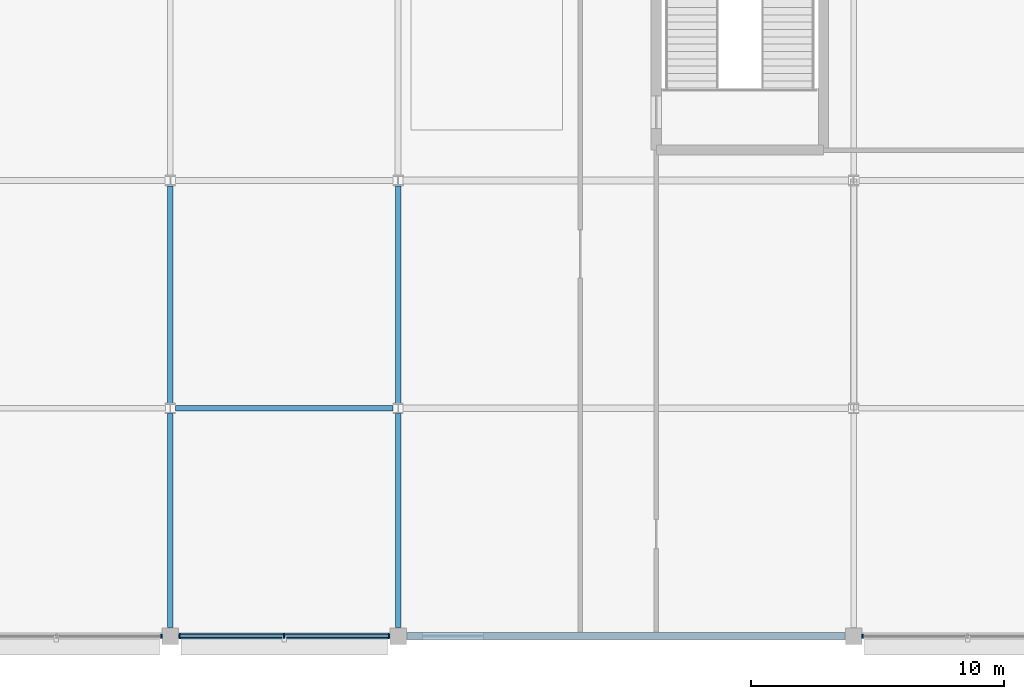
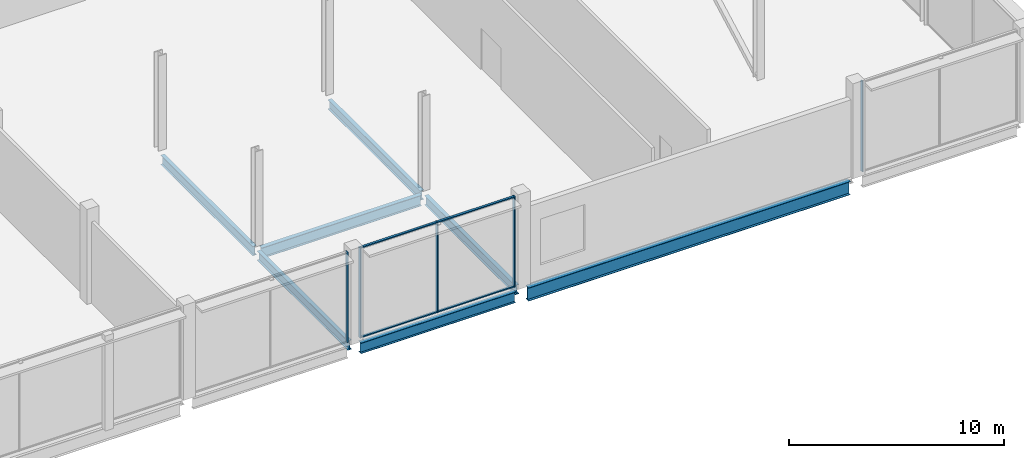
# One storey, part 48 of 113: 9 members, 7 beams, 3 elements without a shape of their own.
"""IFC4 building model written with IfcOpenShell, lengths in metres."""

from ifc_helpers import new_model, si_unit, direction, frame, origin, origin_2d, place, context, subcontext, project, spatial, rectangle, i_section, extrude, material, layer, layer_set, material_profile, profile_set, type_object, element, aggregate, save


model = new_model("IFC4")

# Units and contexts
model_context = context("Model", 3, precision=1e-05, world=origin(), true_north=direction((0.0, 1.0)))
body_context = subcontext(model_context, "Body", "Model", "MODEL_VIEW")
ifc_project = project(units=[si_unit("LENGTHUNIT", "METRE"), si_unit("AREAUNIT", "SQUARE_METRE"), si_unit("VOLUMEUNIT", "CUBIC_METRE"), si_unit("PLANEANGLEUNIT", "RADIAN"), si_unit("MASSUNIT", "GRAM", prefix="KILO")], contexts=[model_context])

# Site, building, storey
site_placement = place(None, origin())
site = spatial("IfcSite", under=ifc_project, at=site_placement, CompositionType="ELEMENT")
building_placement = place(site_placement, origin())
building = spatial("IfcBuilding", under=site, at=building_placement, Name="Kisiwana Market Hall", CompositionType="ELEMENT")
storey_placement = place(building_placement, frame((0.0, 0.0, 6.0)))
storey = spatial("IfcBuildingStorey", under=building, at=storey_placement, Name="L01", CompositionType="ELEMENT", Elevation=6.0)

# Beams
ifc_material_1 = material(Name="Steel S355", Category="steel")
ifc_material_profile_1 = material_profile(ifc_material_1, i_section(OverallWidth=0.209228515625, OverallDepth=0.533203125, WebThickness=0.010009765625, FlangeThickness=0.015625, at=origin_2d()), Name="UB 533x210x92")
ifc_profile_set_1 = profile_set([ifc_material_profile_1], Name="Steel S355")
beam_type_1 = type_object("IfcBeamType", Name="BM-GIRD-UB533", PredefinedType="BEAM", material=ifc_profile_set_1)
beam_1_placement = place(storey_placement, frame((162.0, 0.345947265625, -0.5166015625), z_axis=(0.0, 1.0, 0.0), x_axis=(-1.0, 0.0, 0.0)))
element("IfcBeam", 1, at=beam_1_placement, inside=storey, type_object=beam_type_1, Name="Primary girder B-0399", PredefinedType="BEAM", context=body_context, shape_type="SweptSolid", body=[
    extrude(i_section(OverallWidth=0.209228515625, OverallDepth=0.533203125, WebThickness=0.010009765625, FlangeThickness=0.015625, at=origin_2d()), origin(), (0.0, 0.0, 1.0), 8.454833984375),
])
beam_2_placement = place(storey_placement, frame((162.0, 9.19921875, -0.5166015625), z_axis=(0.0, 1.0, 0.0), x_axis=(-1.0, 0.0, 0.0)))
element("IfcBeam", 2, at=beam_2_placement, inside=storey, type_object=beam_type_1, Name="Primary girder B-0400", PredefinedType="BEAM", context=body_context, shape_type="SweptSolid", body=[
    extrude(i_section(OverallWidth=0.209228515625, OverallDepth=0.533203125, WebThickness=0.010009765625, FlangeThickness=0.015625, at=origin_2d()), origin(), (0.0, 0.0, 1.0), 8.58740234375),
])
beam_3_placement = place(storey_placement, frame((171.0, 0.345947265625, -0.5166015625), z_axis=(0.0, 1.0, 0.0), x_axis=(-1.0, 0.0, 0.0)))
element("IfcBeam", 3, at=beam_3_placement, inside=storey, type_object=beam_type_1, Name="Primary girder B-0407", PredefinedType="BEAM", context=body_context, shape_type="SweptSolid", body=[
    extrude(i_section(OverallWidth=0.209228515625, OverallDepth=0.533203125, WebThickness=0.010009765625, FlangeThickness=0.015625, at=origin_2d()), origin(), (0.0, 0.0, 1.0), 8.454833984375),
])
beam_4_placement = place(storey_placement, frame((171.0, 9.19921875, -0.5166015625), z_axis=(0.0, 1.0, 0.0), x_axis=(-1.0, 0.0, 0.0)))
element("IfcBeam", 4, at=beam_4_placement, inside=storey, type_object=beam_type_1, Name="Primary girder B-0408", PredefinedType="BEAM", context=body_context, shape_type="SweptSolid", body=[
    extrude(i_section(OverallWidth=0.209228515625, OverallDepth=0.533203125, WebThickness=0.010009765625, FlangeThickness=0.015625, at=origin_2d()), origin(), (0.0, 0.0, 1.0), 8.58740234375),
])
ifc_material_2 = material(Name="Steel S355", Category="steel")
ifc_material_profile_2 = material_profile(ifc_material_2, i_section(OverallWidth=0.22900390625, OverallDepth=0.6123046875, WebThickness=0.011962890625, FlangeThickness=0.01953125, at=origin_2d()), Name="UB 610x229x125")
ifc_profile_set_2 = profile_set([ifc_material_profile_2], Name="Steel S355")
beam_type_2 = type_object("IfcBeamType", Name="BM-GIRD-UB610H", PredefinedType="BEAM", material=ifc_profile_set_2)
beam_5_placement = place(storey_placement, frame((162.345947265625, 0.0, -0.55615234375), z_axis=(1.0, 0.0, 0.0), x_axis=(0.0, 1.0, 0.0)))
element("IfcBeam", 5, at=beam_5_placement, inside=storey, type_object=beam_type_2, Name="Floor beam B-0460", PredefinedType="BEAM", context=body_context, shape_type="SweptSolid", body=[
    extrude(i_section(OverallWidth=0.22900390625, OverallDepth=0.6123046875, WebThickness=0.011962890625, FlangeThickness=0.01953125, at=origin_2d()), origin(), (0.0, 0.0, 1.0), 8.30810546875),
])
beam_6_placement = place(storey_placement, frame((162.197509765625, 9.0, -0.55615234375), z_axis=(1.0, 0.0, 0.0), x_axis=(0.0, 1.0, 0.0)))
element("IfcBeam", 6, at=beam_6_placement, inside=storey, type_object=beam_type_2, Name="Floor beam B-0468", PredefinedType="BEAM", context=body_context, shape_type="SweptSolid", body=[
    extrude(i_section(OverallWidth=0.22900390625, OverallDepth=0.6123046875, WebThickness=0.011962890625, FlangeThickness=0.01953125, at=origin_2d()), origin(), (0.0, 0.0, 1.0), 8.60498046875),
])
ifc_material_3 = material(Name="Steel S355", Category="steel")
ifc_material_profile_3 = material_profile(ifc_material_3, i_section(OverallWidth=0.2666015625, OverallDepth=0.76220703125, WebThickness=0.014404296875, FlangeThickness=0.021484375, at=origin_2d()), Name="UB 762x267x173")
ifc_profile_set_3 = profile_set([ifc_material_profile_3], Name="Steel S355")
beam_type_3 = type_object("IfcBeamType", Name="BM-GIRD-UB762", PredefinedType="BEAM", material=ifc_profile_set_3)
beam_7_placement = place(storey_placement, frame((171.345947265625, 0.0, -0.631103515625), z_axis=(1.0, 0.0, 0.0), x_axis=(0.0, 1.0, 0.0)))
element("IfcBeam", 7, at=beam_7_placement, inside=storey, type_object=beam_type_3, Name="Floor beam B-0461", PredefinedType="BEAM", context=body_context, shape_type="SweptSolid", body=[
    extrude(i_section(OverallWidth=0.2666015625, OverallDepth=0.76220703125, WebThickness=0.014404296875, FlangeThickness=0.021484375, at=origin_2d()), origin(), (0.0, 0.0, 1.0), 17.30810546875),
])

# Curtain wall, member
ifc_material_4 = material(Name="Double-glazed solar-control low-E IGU", Category="glass")
ifc_layer = layer(ifc_material_4, 0.159912109375)
ifc_layer_set = layer_set([ifc_layer], Name="CW-FC-S-7600")
curtain_wall_type = type_object("IfcCurtainWallType", Name="CW-FC-S-7600", PredefinedType="USERDEFINED", material=ifc_layer_set)
curtain_wall_1_placement = place(storey_placement, origin())
curtain_wall_1 = element("IfcCurtainWall", 8, at=curtain_wall_1_placement, inside=storey, type_object=curtain_wall_type, Name="Unitised curtain wall CW-014 (L01)", ObjectType="UNITISED CURTAIN WALL", PredefinedType="USERDEFINED")
ifc_material_5 = material(Name="Aluminium alloy 6063-T6", Category="aluminium")
ifc_material_profile_4 = material_profile(ifc_material_5, rectangle(XDim=0.06005859375, YDim=0.159912109375, at=origin_2d()), Name="ALU MULLION 60x160")
ifc_profile_set_4 = profile_set([ifc_material_profile_4], Name="Aluminium alloy 6063-T6")
member_type_1 = type_object("IfcMemberType", Name="CW-MULL-60x160", PredefinedType="MULLION", material=ifc_profile_set_4)
member_1_placement = place(storey_placement, frame((161.64501953125, 0.0, 0.0), z_axis=(0.0, 0.0, 1.0), x_axis=(1.0, 0.0, 0.0)))
member_1 = element("IfcMember", 9, at=member_1_placement, type_object=member_type_1, Name="CW-014 mullion 3", PredefinedType="MULLION", context=body_context, shape_type="SweptSolid", body=[
    extrude(rectangle(XDim=0.06005859375, YDim=0.159912109375, at=origin_2d()), origin(), (0.0, 0.0, 1.0), 5.14990234375),
])
aggregate(curtain_wall_1, [member_1])

# Curtain wall, members
curtain_wall_2_placement = place(storey_placement, origin())
curtain_wall_2 = element("IfcCurtainWall", 10, at=curtain_wall_2_placement, inside=storey, type_object=curtain_wall_type, Name="Unitised curtain wall CW-015 (L01)", ObjectType="UNITISED CURTAIN WALL", PredefinedType="USERDEFINED")
member_2_placement = place(storey_placement, frame((162.35498046875, 0.0, 0.0), z_axis=(0.0, 0.0, 1.0), x_axis=(1.0, 0.0, 0.0)))
member_2 = element("IfcMember", 11, at=member_2_placement, type_object=member_type_1, Name="CW-015 mullion 1", PredefinedType="MULLION", context=body_context, shape_type="SweptSolid", body=[
    extrude(rectangle(XDim=0.06005859375, YDim=0.159912109375, at=origin_2d()), origin(), (0.0, 0.0, 1.0), 5.14990234375),
])
member_3_placement = place(storey_placement, frame((166.5, 0.0, 0.0), z_axis=(0.0, 0.0, 1.0), x_axis=(1.0, 0.0, 0.0)))
member_3 = element("IfcMember", 12, at=member_3_placement, type_object=member_type_1, Name="CW-015 mullion 2", PredefinedType="MULLION", context=body_context, shape_type="SweptSolid", body=[
    extrude(rectangle(XDim=0.06005859375, YDim=0.159912109375, at=origin_2d()), origin(), (0.0, 0.0, 1.0), 5.14990234375),
])
member_4_placement = place(storey_placement, frame((170.64501953125, 0.0, 0.0), z_axis=(0.0, 0.0, 1.0), x_axis=(1.0, 0.0, 0.0)))
member_4 = element("IfcMember", 13, at=member_4_placement, type_object=member_type_1, Name="CW-015 mullion 3", PredefinedType="MULLION", context=body_context, shape_type="SweptSolid", body=[
    extrude(rectangle(XDim=0.06005859375, YDim=0.159912109375, at=origin_2d()), origin(), (0.0, 0.0, 1.0), 5.14990234375),
])

# Curtain wall, member
curtain_wall_3_placement = place(storey_placement, origin())
curtain_wall_3 = element("IfcCurtainWall", 14, at=curtain_wall_3_placement, inside=storey, type_object=curtain_wall_type, Name="Unitised curtain wall CW-016 (L01)", ObjectType="UNITISED CURTAIN WALL", PredefinedType="USERDEFINED")
member_5_placement = place(storey_placement, frame((189.35498046875, 0.0, 0.0), z_axis=(0.0, 0.0, 1.0), x_axis=(1.0, 0.0, 0.0)))
member_5 = element("IfcMember", 15, at=member_5_placement, type_object=member_type_1, Name="CW-016 mullion 1", PredefinedType="MULLION", context=body_context, shape_type="SweptSolid", body=[
    extrude(rectangle(XDim=0.06005859375, YDim=0.159912109375, at=origin_2d()), origin(), (0.0, 0.0, 1.0), 5.14990234375),
])
aggregate(curtain_wall_3, [member_5])

# Member
ifc_material_6 = material(Name="Aluminium alloy 6063-T6", Category="aluminium")
ifc_material_profile_5 = material_profile(ifc_material_6, rectangle(XDim=0.1201171875, YDim=0.06005859375, at=origin_2d()), Name="ALU TRANSOM 60x120")
ifc_profile_set_5 = profile_set([ifc_material_profile_5], Name="Aluminium alloy 6063-T6")
member_type_2 = type_object("IfcMemberType", Name="CW-TRAN-60x120", PredefinedType="USERDEFINED", material=ifc_profile_set_5)
member_6_placement = place(storey_placement, frame((162.385009765625, 0.0, 0.030029296875), z_axis=(1.0, 0.0, 0.0), x_axis=(0.0, 1.0, 0.0)))
member_6 = element("IfcMember", 16, at=member_6_placement, type_object=member_type_2, Name="CW-015 transom 1.1", ObjectType="TRANSOM", PredefinedType="USERDEFINED", context=body_context, shape_type="SweptSolid", body=[
    extrude(rectangle(XDim=0.1201171875, YDim=0.06005859375, at=origin_2d()), origin(), (0.0, 0.0, 1.0), 4.0849609375),
])

member_7_placement = place(storey_placement, frame((162.385009765625, 0.0, 5.1201171875), z_axis=(1.0, 0.0, 0.0), x_axis=(0.0, 1.0, 0.0)))
member_7 = element("IfcMember", 17, at=member_7_placement, type_object=member_type_2, Name="CW-015 transom 1.2", ObjectType="TRANSOM", PredefinedType="USERDEFINED", context=body_context, shape_type="SweptSolid", body=[
    extrude(rectangle(XDim=0.1201171875, YDim=0.06005859375, at=origin_2d()), origin(), (0.0, 0.0, 1.0), 4.0849609375),
])

member_8_placement = place(storey_placement, frame((166.530029296875, 0.0, 0.030029296875), z_axis=(1.0, 0.0, 0.0), x_axis=(0.0, 1.0, 0.0)))
member_8 = element("IfcMember", 18, at=member_8_placement, type_object=member_type_2, Name="CW-015 transom 2.1", ObjectType="TRANSOM", PredefinedType="USERDEFINED", context=body_context, shape_type="SweptSolid", body=[
    extrude(rectangle(XDim=0.1201171875, YDim=0.06005859375, at=origin_2d()), origin(), (0.0, 0.0, 1.0), 4.0849609375),
])

member_9_placement = place(storey_placement, frame((166.530029296875, 0.0, 5.1201171875), z_axis=(1.0, 0.0, 0.0), x_axis=(0.0, 1.0, 0.0)))
member_9 = element("IfcMember", 19, at=member_9_placement, type_object=member_type_2, Name="CW-015 transom 2.2", ObjectType="TRANSOM", PredefinedType="USERDEFINED", context=body_context, shape_type="SweptSolid", body=[
    extrude(rectangle(XDim=0.1201171875, YDim=0.06005859375, at=origin_2d()), origin(), (0.0, 0.0, 1.0), 4.0849609375),
])

aggregate(curtain_wall_2, [member_2, member_3, member_4, member_6, member_7, member_8, member_9])

save(model, "model.ifc")
